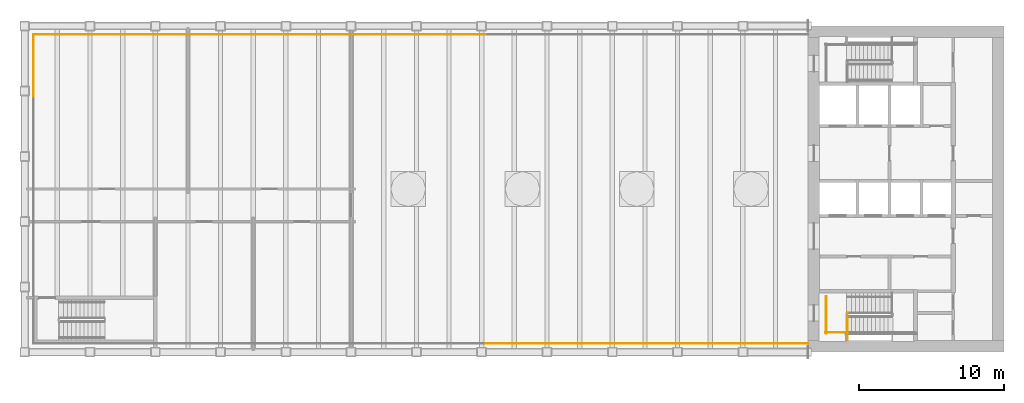
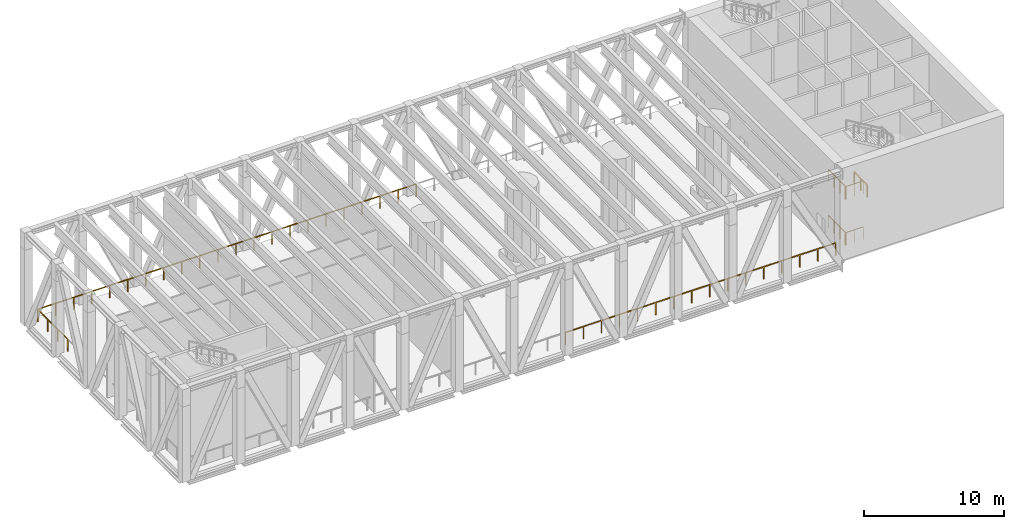
# One storey, part 7 of 11: 18 railings.
"""IFC4 building model written with IfcOpenShell, lengths in metres."""

from ifc_helpers import new_model, si_unit, direction, frame, origin, origin_2d, place, context, subcontext, project, spatial, rectangle, extrude, material, type_object, element, save


model = new_model("IFC4")

# Units and contexts
model_context = context("Model", 3, precision=1e-05, world=origin(), true_north=direction((0.0, 1.0)))
body_context = subcontext(model_context, "Body", "Model", "MODEL_VIEW")
ifc_project = project(units=[si_unit("LENGTHUNIT", "METRE"), si_unit("AREAUNIT", "SQUARE_METRE"), si_unit("VOLUMEUNIT", "CUBIC_METRE"), si_unit("PLANEANGLEUNIT", "RADIAN"), si_unit("MASSUNIT", "GRAM", prefix="KILO")], contexts=[model_context])

# Site, building, storey
site_placement = place(None, origin())
site = spatial("IfcSite", under=ifc_project, at=site_placement, CompositionType="ELEMENT")
building_placement = place(site_placement, origin())
building = spatial("IfcBuilding", under=site, at=building_placement, Name="Sennacour Bend Tower", CompositionType="ELEMENT")
storey_placement = place(building_placement, frame((0.0, 0.0, 297.0)))
storey = spatial("IfcBuildingStorey", under=building, at=storey_placement, Name="L69", CompositionType="ELEMENT", Elevation=297.0)

# Railings
ifc_material_1 = material(Name="Stainless steel 316", Category="steel")
railing_type_1 = type_object("IfcRailingType", Name="GUARD 1100", PredefinedType="GUARDRAIL", material=ifc_material_1)
railing_1_placement = place(storey_placement, frame((0.60009765625, 17.639892578125, 0.0)))
element("IfcRailing", 1, at=railing_1_placement, inside=storey, type_object=railing_type_1, Name="Guard L69", PredefinedType="GUARDRAIL", context=body_context, shape_type="SweptSolid", body=[
    extrude(rectangle(XDim=0.048095703125, YDim=0.048095703125, at=origin_2d()), frame((0.0, 0.0, 1.076171875), z_axis=(0.0, 1.0, 0.0), x_axis=(-1.0, 0.0, 0.0)), (0.0, 0.0, 1.0), 4.260009765625),
    extrude(rectangle(XDim=0.0419921875, YDim=0.0419921875, at=origin_2d()), origin(), (0.0, 0.0, 1.0), 1.052001953125),
    extrude(rectangle(XDim=0.0419921875, YDim=0.0419921875, at=origin_2d()), frame((0.0, 1.419921875, 0.0)), (0.0, 0.0, 1.0), 1.052001953125),
    extrude(rectangle(XDim=0.0419921875, YDim=0.0419921875, at=origin_2d()), frame((0.0, 2.840087890625, 0.0)), (0.0, 0.0, 1.0), 1.052001953125),
    extrude(rectangle(XDim=0.0419921875, YDim=0.0419921875, at=origin_2d()), frame((0.0, 4.260009765625, 0.0)), (0.0, 0.0, 1.0), 1.052001953125),
])
railing_2_placement = place(storey_placement, frame((0.60009765625, 21.89990234375, 0.0)))
element("IfcRailing", 2, at=railing_2_placement, inside=storey, type_object=railing_type_1, Name="Guard L69", PredefinedType="GUARDRAIL", context=body_context, shape_type="SweptSolid", body=[
    extrude(rectangle(XDim=0.048095703125, YDim=0.048095703125, at=origin_2d()), frame((0.0, 0.0, 1.076171875), z_axis=(1.0, 0.0, 0.0), x_axis=(0.0, 1.0, 0.0)), (0.0, 0.0, 1.0), 4.44970703125),
    extrude(rectangle(XDim=0.0419921875, YDim=0.0419921875, at=origin_2d()), origin(), (0.0, 0.0, 1.0), 1.052001953125),
    extrude(rectangle(XDim=0.0419921875, YDim=0.0419921875, at=origin_2d()), frame((1.483154296875, 0.0, 0.0)), (0.0, 0.0, 1.0), 1.052001953125),
    extrude(rectangle(XDim=0.0419921875, YDim=0.0419921875, at=origin_2d()), frame((2.966552734375, 0.0, 0.0)), (0.0, 0.0, 1.0), 1.052001953125),
    extrude(rectangle(XDim=0.0419921875, YDim=0.0419921875, at=origin_2d()), frame((4.44970703125, 0.0, 0.0)), (0.0, 0.0, 1.0), 1.052001953125),
])
for number, where, name in (
    (3, (5.0498046875, 21.89990234375, 0.0), "Guard L69"),
    (4, (9.499755859375, 21.89990234375, 0.0), "Guard L69"),
    (5, (13.94970703125, 21.89990234375, 0.0), "Guard L69"),
    (6, (18.399658203125, 21.89990234375, 0.0), "Guard L69"),
    (7, (22.849609375, 21.89990234375, 0.0), "Guard L69"),
    (8, (27.299560546875, 21.89990234375, 0.0), "Guard L69"),
):
    element("IfcRailing", number, at=place(storey_placement, frame(where)), inside=storey, type_object=railing_type_1, Name=name, PredefinedType="GUARDRAIL", context=body_context, shape_type="SweptSolid", body=[
        extrude(rectangle(XDim=0.048095703125, YDim=0.048095703125, at=origin_2d()), frame((0.0, 0.0, 1.076171875), z_axis=(1.0, 0.0, 0.0), x_axis=(0.0, 1.0, 0.0)), (0.0, 0.0, 1.0), 4.449951171875),
        extrude(rectangle(XDim=0.0419921875, YDim=0.0419921875, at=origin_2d()), origin(), (0.0, 0.0, 1.0), 1.052001953125),
        extrude(rectangle(XDim=0.0419921875, YDim=0.0419921875, at=origin_2d()), frame((1.4833984375, 0.0, 0.0)), (0.0, 0.0, 1.0), 1.052001953125),
        extrude(rectangle(XDim=0.0419921875, YDim=0.0419921875, at=origin_2d()), frame((2.966552734375, 0.0, 0.0)), (0.0, 0.0, 1.0), 1.052001953125),
        extrude(rectangle(XDim=0.0419921875, YDim=0.0419921875, at=origin_2d()), frame((4.449951171875, 0.0, 0.0)), (0.0, 0.0, 1.0), 1.052001953125),
    ])
for number, where, name in (
    (9, (53.9990234375, 0.60009765625, 0.0), "Guard L69"),
    (10, (49.549072265625, 0.60009765625, 0.0), "Guard L69"),
):
    element("IfcRailing", number, at=place(storey_placement, frame(where)), inside=storey, type_object=railing_type_1, Name=name, PredefinedType="GUARDRAIL", context=body_context, shape_type="SweptSolid", body=[
        extrude(rectangle(XDim=0.048095703125, YDim=0.048095703125, at=origin_2d()), frame((0.0, 0.0, 1.076171875), z_axis=(-1.0, 0.0, 0.0), x_axis=(0.0, -1.0, 0.0)), (0.0, 0.0, 1.0), 4.449951171875),
        extrude(rectangle(XDim=0.0419921875, YDim=0.0419921875, at=origin_2d()), origin(), (0.0, 0.0, 1.0), 1.052001953125),
        extrude(rectangle(XDim=0.0419921875, YDim=0.0419921875, at=origin_2d()), frame((-1.4833984375, 0.0, 0.0)), (0.0, 0.0, 1.0), 1.052001953125),
        extrude(rectangle(XDim=0.0419921875, YDim=0.0419921875, at=origin_2d()), frame((-2.966552734375, 0.0, 0.0)), (0.0, 0.0, 1.0), 1.052001953125),
        extrude(rectangle(XDim=0.0419921875, YDim=0.0419921875, at=origin_2d()), frame((-4.449951171875, 0.0, 0.0)), (0.0, 0.0, 1.0), 1.052001953125),
    ])
railing_3_placement = place(storey_placement, frame((45.09912109375, 0.60009765625, 0.0)))
element("IfcRailing", 11, at=railing_3_placement, inside=storey, type_object=railing_type_1, Name="Guard L69", PredefinedType="GUARDRAIL", context=body_context, shape_type="SweptSolid", body=[
    extrude(rectangle(XDim=0.048095703125, YDim=0.048095703125, at=origin_2d()), frame((0.0, 0.0, 1.076171875), z_axis=(-1.0, 0.0, 0.0), x_axis=(0.0, -1.0, 0.0)), (0.0, 0.0, 1.0), 4.44970703125),
    extrude(rectangle(XDim=0.0419921875, YDim=0.0419921875, at=origin_2d()), origin(), (0.0, 0.0, 1.0), 1.052001953125),
    extrude(rectangle(XDim=0.0419921875, YDim=0.0419921875, at=origin_2d()), frame((-1.483154296875, 0.0, 0.0)), (0.0, 0.0, 1.0), 1.052001953125),
    extrude(rectangle(XDim=0.0419921875, YDim=0.0419921875, at=origin_2d()), frame((-2.966552734375, 0.0, 0.0)), (0.0, 0.0, 1.0), 1.052001953125),
    extrude(rectangle(XDim=0.0419921875, YDim=0.0419921875, at=origin_2d()), frame((-4.44970703125, 0.0, 0.0)), (0.0, 0.0, 1.0), 1.052001953125),
])
railing_4_placement = place(storey_placement, frame((40.6494140625, 0.60009765625, 0.0)))
element("IfcRailing", 12, at=railing_4_placement, inside=storey, type_object=railing_type_1, Name="Guard L69", PredefinedType="GUARDRAIL", context=body_context, shape_type="SweptSolid", body=[
    extrude(rectangle(XDim=0.048095703125, YDim=0.048095703125, at=origin_2d()), frame((0.0, 0.0, 1.076171875), z_axis=(-1.0, 0.0, 0.0), x_axis=(0.0, -1.0, 0.0)), (0.0, 0.0, 1.0), 4.4501953125),
    extrude(rectangle(XDim=0.0419921875, YDim=0.0419921875, at=origin_2d()), origin(), (0.0, 0.0, 1.0), 1.052001953125),
    extrude(rectangle(XDim=0.0419921875, YDim=0.0419921875, at=origin_2d()), frame((-1.4833984375, 0.0, 0.0)), (0.0, 0.0, 1.0), 1.052001953125),
    extrude(rectangle(XDim=0.0419921875, YDim=0.0419921875, at=origin_2d()), frame((-2.966796875, 0.0, 0.0)), (0.0, 0.0, 1.0), 1.052001953125),
    extrude(rectangle(XDim=0.0419921875, YDim=0.0419921875, at=origin_2d()), frame((-4.4501953125, 0.0, 0.0)), (0.0, 0.0, 1.0), 1.052001953125),
])
railing_5_placement = place(storey_placement, frame((36.19921875, 0.60009765625, 0.0)))
element("IfcRailing", 13, at=railing_5_placement, inside=storey, type_object=railing_type_1, Name="Guard L69", PredefinedType="GUARDRAIL", context=body_context, shape_type="SweptSolid", body=[
    extrude(rectangle(XDim=0.048095703125, YDim=0.048095703125, at=origin_2d()), frame((0.0, 0.0, 1.076171875), z_axis=(-1.0, 0.0, 0.0), x_axis=(0.0, -1.0, 0.0)), (0.0, 0.0, 1.0), 4.44970703125),
    extrude(rectangle(XDim=0.0419921875, YDim=0.0419921875, at=origin_2d()), origin(), (0.0, 0.0, 1.0), 1.052001953125),
    extrude(rectangle(XDim=0.0419921875, YDim=0.0419921875, at=origin_2d()), frame((-1.483154296875, 0.0, 0.0)), (0.0, 0.0, 1.0), 1.052001953125),
    extrude(rectangle(XDim=0.0419921875, YDim=0.0419921875, at=origin_2d()), frame((-2.966552734375, 0.0, 0.0)), (0.0, 0.0, 1.0), 1.052001953125),
    extrude(rectangle(XDim=0.0419921875, YDim=0.0419921875, at=origin_2d()), frame((-4.44970703125, 0.0, 0.0)), (0.0, 0.0, 1.0), 1.052001953125),
])
ifc_material_2 = material(Name="Stainless steel", Category="steel")
railing_type_2 = type_object("IfcRailingType", Name="RL-GUARD-1100", PredefinedType="GUARDRAIL", material=ifc_material_2)
railing_6_placement = place(storey_placement, frame((55.199951171875, 1.35009765625, 4.0)))
element("IfcRailing", 14, at=railing_6_placement, inside=storey, type_object=railing_type_2, Name="L69 SA1 stair guard 6", PredefinedType="GUARDRAIL", context=body_context, shape_type="SweptSolid", body=[
    extrude(rectangle(XDim=0.048095703125, YDim=0.048095703125, at=origin_2d()), frame((0.0, 0.0, 1.076171875), z_axis=(1.0, 0.0, 0.0), x_axis=(0.0, 1.0, 0.0)), (0.0, 0.0, 1.0), 1.5),
    extrude(rectangle(XDim=0.0419921875, YDim=0.0419921875, at=origin_2d()), origin(), (0.0, 0.0, 1.0), 1.052001953125),
    extrude(rectangle(XDim=0.0419921875, YDim=0.0419921875, at=origin_2d()), frame((0.75, 0.0, 0.0)), (0.0, 0.0, 1.0), 1.052001953125),
    extrude(rectangle(XDim=0.0419921875, YDim=0.0419921875, at=origin_2d()), frame((1.5, 0.0, 0.0)), (0.0, 0.0, 1.0), 1.052001953125),
])
railing_7_placement = place(storey_placement, frame((55.25, 1.300048828125, 4.0)))
element("IfcRailing", 15, at=railing_7_placement, inside=storey, type_object=railing_type_2, Name="L69 SA1 stair guard 7", PredefinedType="GUARDRAIL", context=body_context, shape_type="SweptSolid", body=[
    extrude(rectangle(XDim=0.048095703125, YDim=0.048095703125, at=origin_2d()), frame((0.0, 0.0, 1.076171875), z_axis=(0.0, 1.0, 0.0), x_axis=(-1.0, 0.0, 0.0)), (0.0, 0.0, 1.0), 2.550048828125),
    extrude(rectangle(XDim=0.0419921875, YDim=0.0419921875, at=origin_2d()), origin(), (0.0, 0.0, 1.0), 1.052001953125),
    extrude(rectangle(XDim=0.0419921875, YDim=0.0419921875, at=origin_2d()), frame((0.0, 0.85009765625, 0.0)), (0.0, 0.0, 1.0), 1.052001953125),
    extrude(rectangle(XDim=0.0419921875, YDim=0.0419921875, at=origin_2d()), frame((0.0, 1.699951171875, 0.0)), (0.0, 0.0, 1.0), 1.052001953125),
    extrude(rectangle(XDim=0.0419921875, YDim=0.0419921875, at=origin_2d()), frame((0.0, 2.550048828125, 0.0)), (0.0, 0.0, 1.0), 1.052001953125),
])
railing_8_placement = place(storey_placement, frame((55.199951171875, 1.35009765625, 0.0)))
element("IfcRailing", 16, at=railing_8_placement, inside=storey, type_object=railing_type_2, Name="L69 SA1 stair guard 13", PredefinedType="GUARDRAIL", context=body_context, shape_type="SweptSolid", body=[
    extrude(rectangle(XDim=0.048095703125, YDim=0.048095703125, at=origin_2d()), frame((0.0, 0.0, 1.076171875), z_axis=(1.0, 0.0, 0.0), x_axis=(0.0, 1.0, 0.0)), (0.0, 0.0, 1.0), 1.5),
    extrude(rectangle(XDim=0.0419921875, YDim=0.0419921875, at=origin_2d()), origin(), (0.0, 0.0, 1.0), 1.052001953125),
    extrude(rectangle(XDim=0.0419921875, YDim=0.0419921875, at=origin_2d()), frame((0.75, 0.0, 0.0)), (0.0, 0.0, 1.0), 1.052001953125),
    extrude(rectangle(XDim=0.0419921875, YDim=0.0419921875, at=origin_2d()), frame((1.5, 0.0, 0.0)), (0.0, 0.0, 1.0), 1.052001953125),
])
railing_9_placement = place(storey_placement, frame((55.25, 1.300048828125, 0.0)))
element("IfcRailing", 17, at=railing_9_placement, inside=storey, type_object=railing_type_2, Name="L69 SA1 stair guard 14", PredefinedType="GUARDRAIL", context=body_context, shape_type="SweptSolid", body=[
    extrude(rectangle(XDim=0.048095703125, YDim=0.048095703125, at=origin_2d()), frame((0.0, 0.0, 1.076171875), z_axis=(0.0, 1.0, 0.0), x_axis=(-1.0, 0.0, 0.0)), (0.0, 0.0, 1.0), 2.550048828125),
    extrude(rectangle(XDim=0.0419921875, YDim=0.0419921875, at=origin_2d()), origin(), (0.0, 0.0, 1.0), 1.052001953125),
    extrude(rectangle(XDim=0.0419921875, YDim=0.0419921875, at=origin_2d()), frame((0.0, 0.85009765625, 0.0)), (0.0, 0.0, 1.0), 1.052001953125),
    extrude(rectangle(XDim=0.0419921875, YDim=0.0419921875, at=origin_2d()), frame((0.0, 1.699951171875, 0.0)), (0.0, 0.0, 1.0), 1.052001953125),
    extrude(rectangle(XDim=0.0419921875, YDim=0.0419921875, at=origin_2d()), frame((0.0, 2.550048828125, 0.0)), (0.0, 0.0, 1.0), 1.052001953125),
])
railing_10_placement = place(storey_placement, frame((56.699951171875, 2.64990234375, 4.0)))
element("IfcRailing", 18, at=railing_10_placement, inside=storey, type_object=railing_type_2, Name="L69 SA1 landing edge guard 110", PredefinedType="GUARDRAIL", context=body_context, shape_type="SweptSolid", body=[
    extrude(rectangle(XDim=0.048095703125, YDim=0.048095703125, at=origin_2d()), frame((0.0, 0.0, 1.076171875), z_axis=(0.0, -1.0, 0.0), x_axis=(1.0, 0.0, 0.0)), (0.0, 0.0, 1.0), 1.849853515625),
    extrude(rectangle(XDim=0.0419921875, YDim=0.0419921875, at=origin_2d()), origin(), (0.0, 0.0, 1.0), 1.052001953125),
    extrude(rectangle(XDim=0.0419921875, YDim=0.0419921875, at=origin_2d()), frame((0.0, -0.9248046875, 0.0)), (0.0, 0.0, 1.0), 1.052001953125),
    extrude(rectangle(XDim=0.0419921875, YDim=0.0419921875, at=origin_2d()), frame((0.0, -1.849853515625, 0.0)), (0.0, 0.0, 1.0), 1.052001953125),
])

save(model, "model.ifc")
